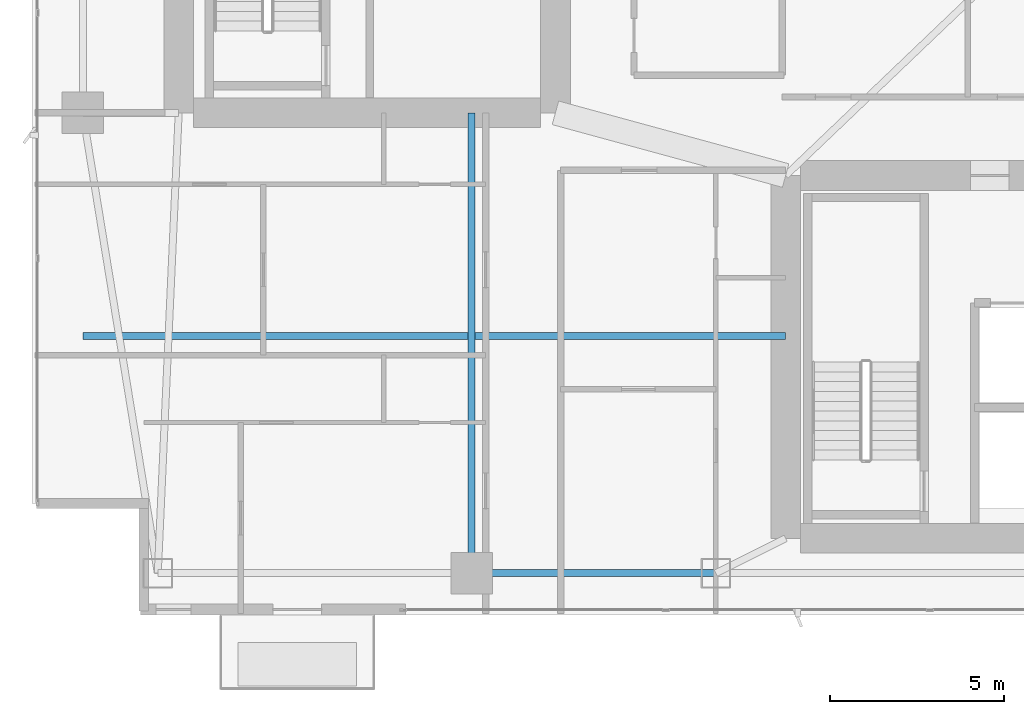
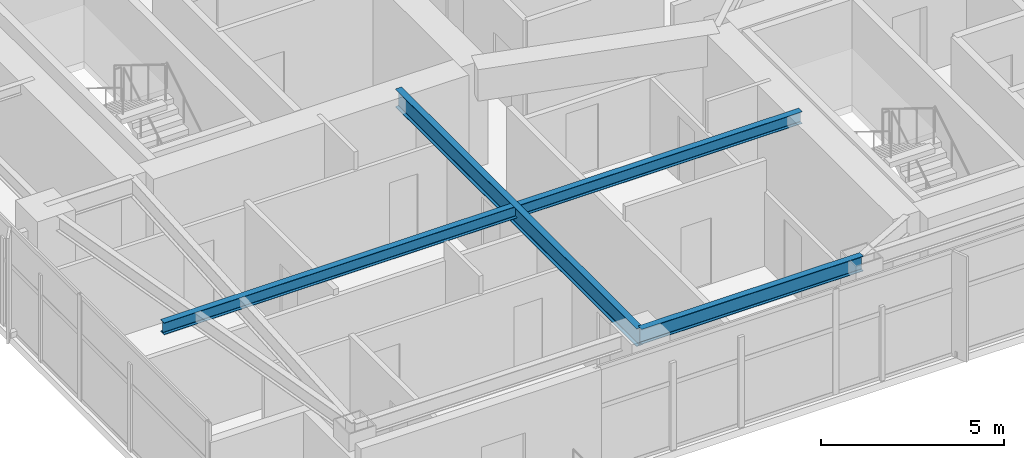
# One storey, part 5 of 28: 3 beams.
"""IFC4 building model written with IfcOpenShell, lengths in metres."""

import ifcopenshell
import ifcopenshell.guid

model = None  # the IFC model being written
_history = None  # IfcOwnerHistory: only IFC2X3 demands one
_inside = {}  # id of a spatial element -> (the spatial element, [elements in it])
_under = {}  # id of a project, library or spatial element -> (it, [spatial elements below it])
_declared = {}  # id of a project -> (the project, [libraries it declares])
_typed = {}  # id of a type object -> (the type object, [elements of that type])
_made_of = {}  # id of a material, layer set ... -> (it, [elements and type objects made of it])


def new_model(schema):
    """Start an empty IFC model of exactly this schema.

    Asked for "IFC4X3", IfcOpenShell would pick the latest addendum, in which some entities
    have other attributes; the version numbers below select the first issue.
    IFC2X3 requires an IfcOwnerHistory on every rooted entity: one is made here for all.
    """
    global model, _history
    if schema == "IFC4X3":
        model = ifcopenshell.file(schema_version=(4, 3, 0, 0))
    else:
        model = ifcopenshell.file(schema=schema)
    _inside.clear()
    _under.clear()
    _declared.clear()
    _typed.clear()
    _made_of.clear()
    _history = None
    if model.schema == "IFC2X3":
        org = make("IfcOrganization", Name="unknown")
        user = make(
            "IfcPersonAndOrganization",
            ThePerson=make("IfcPerson", FamilyName="unknown"),
            TheOrganization=org,
        )
        app = make(
            "IfcApplication",
            ApplicationDeveloper=org,
            Version="unknown",
            ApplicationFullName="unknown",
            ApplicationIdentifier="unknown",
        )
        _history = make(
            "IfcOwnerHistory",
            OwningUser=user,
            OwningApplication=app,
            ChangeAction="ADDED",
            CreationDate=0,
        )
    return model


def make(cls, **values):
    """One entity of the class cls with the attributes given. An attribute that is None is left unset."""
    return model.create_entity(
        cls, **{name: value for name, value in values.items() if value is not None}
    )


def rooted(cls, **values):
    """An entity with a GlobalId (a new one), such as an element, a storey or a relation."""
    return make(cls, GlobalId=ifcopenshell.guid.new(), OwnerHistory=_history, **values)


def si_unit(unit_type, name, prefix=None):
    """IfcSIUnit, for example si_unit("LENGTHUNIT", "METRE", prefix="MILLI")."""
    return make("IfcSIUnit", UnitType=unit_type, Prefix=prefix, Name=name)


def assignment(units):
    """IfcUnitAssignment: the units of a project."""
    return None if units is None else make("IfcUnitAssignment", Units=units)


def point(xyz):
    """IfcCartesianPoint."""
    return None if xyz is None else make("IfcCartesianPoint", Coordinates=xyz)


def direction(xyz):
    """IfcDirection."""
    return None if xyz is None else make("IfcDirection", DirectionRatios=xyz)


def frame(location, z_axis=None, x_axis=None):
    """IfcAxis2Placement3D, a coordinate frame: its origin and axes. An axis left out is left unset."""
    return make(
        "IfcAxis2Placement3D",
        Location=point(location),
        Axis=direction(z_axis),
        RefDirection=direction(x_axis),
    )


def frame_2d(location, x_axis=None):
    """IfcAxis2Placement2D, a coordinate frame in the plane: its origin and x axis."""
    return make(
        "IfcAxis2Placement2D", Location=point(location), RefDirection=direction(x_axis)
    )


def origin():
    """The frame at (0, 0, 0) with its axes left unset."""
    return frame((0.0, 0.0, 0.0))


def origin_2d():
    """The frame at (0, 0) in the plane with its x axis left unset."""
    return frame_2d((0.0, 0.0))


def place(relative_to, where):
    """IfcLocalPlacement: puts the frame where relative to a parent placement (None: the world)."""
    return make(
        "IfcLocalPlacement", PlacementRelTo=relative_to, RelativePlacement=where
    )


def context(
    kind, dimensions, precision=None, world=None, true_north=None, identifier=None
):
    """IfcGeometricRepresentationContext, for example the 3D "Model" context."""
    return make(
        "IfcGeometricRepresentationContext",
        ContextIdentifier=identifier,
        ContextType=kind,
        CoordinateSpaceDimension=dimensions,
        Precision=precision,
        WorldCoordinateSystem=world,
        TrueNorth=true_north,
    )


def subcontext(parent, identifier, kind, view, scale=None):
    """IfcGeometricRepresentationSubContext, for example "Body" below "Model"."""
    return make(
        "IfcGeometricRepresentationSubContext",
        ContextIdentifier=identifier,
        ContextType=kind,
        ParentContext=parent,
        TargetScale=scale,
        TargetView=view,
    )


def project(units=None, contexts=None):
    """IfcProject with its units and contexts."""
    return rooted(
        "IfcProject",
        Name="project",
        RepresentationContexts=contexts,
        UnitsInContext=assignment(units),
    )


def spatial(cls, under=None, at=None, **own):
    """A site, building, storey or space (cls), placed at a placement, below another one or the project."""
    s = rooted(cls, ObjectPlacement=at, **own)
    if under is not None:
        _under.setdefault(under.id(), (under, []))[1].append(s)
    return s


def profile(cls, at=None, kind="AREA", **sizes):
    """A parametric profile (cls). Its sizes go by their IFC names, for example OverallWidth=200.0."""
    return make(cls, ProfileType=kind, Position=at, **sizes)


def i_section(**sizes):
    """IfcIShapeProfileDef."""
    return profile("IfcIShapeProfileDef", **sizes)


def extrude(swept, where, along, depth):
    """IfcExtrudedAreaSolid: the profile swept, set in the frame where, extruded along a direction by depth."""
    return make(
        "IfcExtrudedAreaSolid",
        SweptArea=swept,
        Position=where,
        ExtrudedDirection=direction(along),
        Depth=depth,
    )


def shape(context_of_items, identifier, shape_type, items):
    """IfcShapeRepresentation: the items that make up one representation, for example the "Body"."""
    return make(
        "IfcShapeRepresentation",
        ContextOfItems=context_of_items,
        RepresentationIdentifier=identifier,
        RepresentationType=shape_type,
        Items=items,
    )


def material(Name=None, Category=None):
    """IfcMaterial."""
    return make("IfcMaterial", Name=Name, Category=Category)


def material_profile(
    of_material, cross_section, Name=None, Category=None, Priority=None
):
    """IfcMaterialProfile: a cross section and its material."""
    return make(
        "IfcMaterialProfile",
        Name=Name,
        Material=of_material,
        Profile=cross_section,
        Priority=Priority,
        Category=Category,
    )


def profile_set(profiles, Name=None, composite=None):
    """IfcMaterialProfileSet."""
    return make(
        "IfcMaterialProfileSet",
        Name=Name,
        MaterialProfiles=profiles,
        CompositeProfile=composite,
    )


def made_of(thing, what):
    """Note that an element or type object is made of a material, layer set ...; save() writes the relation."""
    if what is not None:
        _made_of.setdefault(what.id(), (what, []))[1].append(thing)
    return thing


def type_object(cls, material=None, **own):
    """A type object (cls), such as IfcWallType, which elements share."""
    return made_of(rooted(cls, **own), material)


def element(
    cls,
    number,
    at=None,
    inside=None,
    cuts=None,
    type_object=None,
    material=None,
    context=None,
    identifier="Body",
    shape_type=None,
    held_by="IfcProductDefinitionShape",
    body=None,
    shapes=None,
    **own,
):
    """One element of the class cls, such as IfcWall. Its Tag is "e" and its number.

    at: its placement. inside: the storey or other place that contains it. cuts: it is an
    opening in that element (IfcRelVoidsElement). A single representation is given by context,
    identifier, shape_type and body (its items); several are given by shapes. held_by: the class
    of the entity that holds the representations. save() writes the other relations.
    """
    e = rooted(cls, Tag="e%d" % number, ObjectPlacement=at, **own)
    if body is not None:
        shapes = [shape(context, identifier, shape_type, body)]
    if shapes is not None:
        e.Representation = make(held_by, Representations=shapes)
    if inside is not None:
        _inside.setdefault(inside.id(), (inside, []))[1].append(e)
    if cuts is not None:
        rooted(
            "IfcRelVoidsElement", RelatingBuildingElement=cuts, RelatedOpeningElement=e
        )
    if type_object is not None:
        _typed.setdefault(type_object.id(), (type_object, []))[1].append(e)
    return made_of(e, material)


def aggregate(whole, parts):
    """IfcRelAggregates: a whole, such as a stair, and the parts it consists of."""
    return rooted("IfcRelAggregates", RelatingObject=whole, RelatedObjects=parts)


def save(model, path):
    """Write the relations noted so far, then the file.

    IfcRelAggregates (storeys below a building ...), IfcRelContainedInSpatialStructure (elements
    in a storey), IfcRelDefinesByType, IfcRelAssociatesMaterial and IfcRelDeclares: one each for
    every whole, place, type object, material and project.
    """
    for whole, parts in _under.values():
        aggregate(whole, parts)
    for where, things in _inside.values():
        rooted(
            "IfcRelContainedInSpatialStructure",
            RelatedElements=things,
            RelatingStructure=where,
        )
    for kind, things in _typed.values():
        rooted("IfcRelDefinesByType", RelatedObjects=things, RelatingType=kind)
    for what, things in _made_of.values():
        rooted("IfcRelAssociatesMaterial", RelatedObjects=things, RelatingMaterial=what)
    for by, libraries in _declared.values():
        rooted("IfcRelDeclares", RelatingContext=by, RelatedDefinitions=libraries)
    model.write(path)


model = new_model("IFC4")

# Units and contexts
model_context = context("Model", 3, precision=1e-05, world=origin(), true_north=direction((0.0, 1.0)))
body_context = subcontext(model_context, "Body", "Model", "MODEL_VIEW")
ifc_project = project(units=[si_unit("LENGTHUNIT", "METRE"), si_unit("AREAUNIT", "SQUARE_METRE"), si_unit("VOLUMEUNIT", "CUBIC_METRE"), si_unit("PLANEANGLEUNIT", "RADIAN"), si_unit("MASSUNIT", "GRAM", prefix="KILO")], contexts=[model_context])

# Site, building, storey
site_placement = place(None, origin())
site = spatial("IfcSite", under=ifc_project, at=site_placement, CompositionType="ELEMENT")
building_placement = place(site_placement, origin())
building = spatial("IfcBuilding", under=site, at=building_placement, Name="Calvorn Quay Hotel", CompositionType="ELEMENT")
storey_placement = place(building_placement, frame((0.0, 0.0, 182.699951171875)))
storey = spatial("IfcBuildingStorey", under=building, at=storey_placement, Name="L45", CompositionType="ELEMENT", Elevation=182.699951171875)

# Beams
ifc_material_1 = material(Name="Steel Q355B", Category="steel")
ifc_material_profile_1 = material_profile(ifc_material_1, i_section(OverallWidth=0.199951171875, OverallDepth=0.60009765625, WebThickness=0.010986328125, FlangeThickness=0.01708984375, FilletRadius=0.01806640625, at=origin_2d()), Name="HN600x200x11x17")
ifc_profile_set_1 = profile_set([ifc_material_profile_1], Name="Steel Q355B")
beam_type_1 = type_object("IfcBeamType", Name="BM-GIRD-TYP", PredefinedType="BEAM", material=ifc_profile_set_1)
beam_1_placement = place(storey_placement, frame((12.60009765625, 3.60009765625, 3.219970703125), z_axis=(0.0, 1.0, 0.0), x_axis=(-1.0, 0.0, 0.0)))
element("IfcBeam", 1, at=beam_1_placement, inside=storey, type_object=beam_type_1, Name="Beam BG-L45-S1", PredefinedType="BEAM", context=body_context, shape_type="SweptSolid", body=[
    extrude(i_section(OverallWidth=0.199951171875, OverallDepth=0.60009765625, WebThickness=0.010986328125, FlangeThickness=0.01708984375, FilletRadius=0.01806640625, at=origin_2d()), origin(), (0.0, 0.0, 1.0), 13.199951171875),
])
ifc_material_2 = material(Name="Steel Q355B", Category="steel")
ifc_material_profile_2 = material_profile(ifc_material_2, i_section(OverallWidth=0.199951171875, OverallDepth=0.39990234375, WebThickness=0.008056640625, FlangeThickness=0.012939453125, FilletRadius=0.01611328125, at=origin_2d()), Name="HN400x200x8x13")
ifc_profile_set_2 = profile_set([ifc_material_profile_2], Name="Steel Q355B")
beam_type_2 = type_object("IfcBeamType", Name="BM-JOIST-TYP", PredefinedType="JOIST", material=ifc_profile_set_2)
beam_2_placement = place(storey_placement, frame((1.449951171875, 10.39990234375, 3.320068359375), z_axis=(1.0, 0.0, 0.0), x_axis=(0.0, 1.0, 0.0)))
element("IfcBeam", 2, at=beam_2_placement, inside=storey, type_object=beam_type_2, Name="Beam BJ-L45-W1", PredefinedType="JOIST", context=body_context, shape_type="SweptSolid", body=[
    extrude(i_section(OverallWidth=0.199951171875, OverallDepth=0.39990234375, WebThickness=0.008056640625, FlangeThickness=0.012939453125, FilletRadius=0.01611328125, at=origin_2d()), origin(), (0.0, 0.0, 1.0), 20.150146484375),
])
ifc_material_3 = material(Name="Steel Q355B", Category="steel")
ifc_material_profile_3 = material_profile(ifc_material_3, i_section(OverallWidth=0.199951171875, OverallDepth=0.5, WebThickness=0.010009765625, FlangeThickness=0.01611328125, FilletRadius=0.01611328125, at=origin_2d()), Name="HN500x200x10x16")
ifc_profile_set_3 = profile_set([ifc_material_profile_3], Name="Steel Q355B")
beam_type_3 = type_object("IfcBeamType", Name="BM-SPANDREL-Z1", PredefinedType="SPANDREL", material=ifc_profile_set_3)
beam_3_placement = place(storey_placement, frame((12.60009765625, 3.60009765625, 3.27001953125), z_axis=(1.0, 0.0, 0.0), x_axis=(0.0, 1.0, 0.0)))
element("IfcBeam", 3, at=beam_3_placement, inside=storey, type_object=beam_type_3, Name="Beam BSP-L45-S2", PredefinedType="SPANDREL", context=body_context, shape_type="SweptSolid", body=[
    extrude(i_section(OverallWidth=0.199951171875, OverallDepth=0.5, WebThickness=0.010009765625, FlangeThickness=0.01611328125, FilletRadius=0.01611328125, at=origin_2d()), origin(), (0.0, 0.0, 1.0), 7.0),
])

save(model, "model.ifc")
